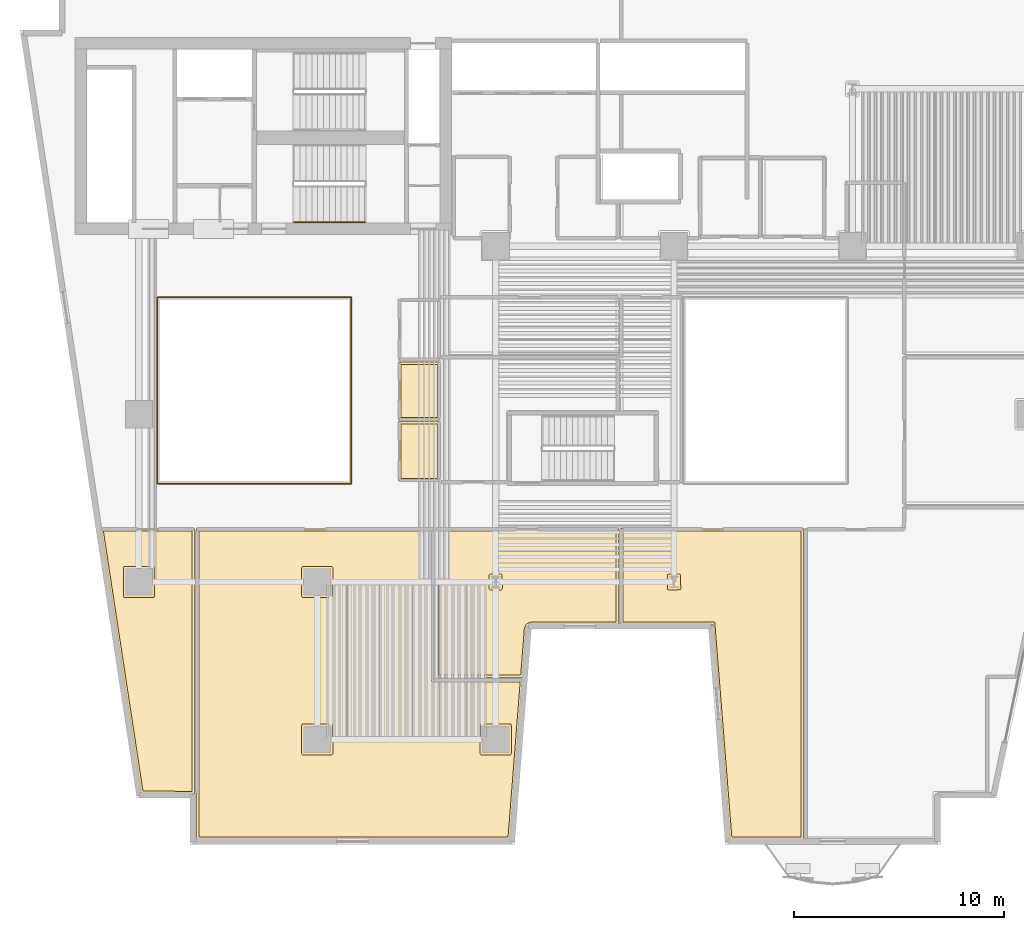
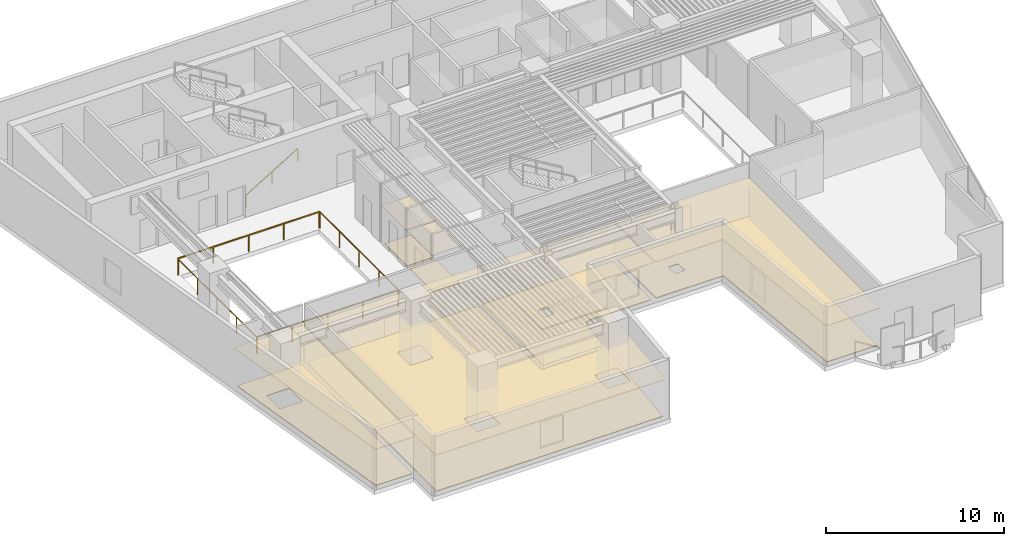
# One storey, part 8 of 12: 12 coverings, 5 railings.
"""IFC4 building model written with IfcOpenShell, lengths in metres."""

from ifc_helpers import new_model, si_unit, direction, frame, origin, origin_2d, place, context, subcontext, project, spatial, polyline, rectangle, outline, extrude, material, layer, layer_set, type_object, element, save


model = new_model("IFC4")

# Units and contexts
model_context = context("Model", 3, precision=1e-05, world=origin(), true_north=direction((0.0, 1.0)))
body_context = subcontext(model_context, "Body", "Model", "MODEL_VIEW")
ifc_project = project(units=[si_unit("LENGTHUNIT", "METRE"), si_unit("AREAUNIT", "SQUARE_METRE"), si_unit("VOLUMEUNIT", "CUBIC_METRE"), si_unit("PLANEANGLEUNIT", "RADIAN"), si_unit("MASSUNIT", "GRAM", prefix="KILO")], contexts=[model_context])

# Site, building, storey
site_placement = place(None, origin())
site = spatial("IfcSite", under=ifc_project, at=site_placement, CompositionType="ELEMENT")
building_placement = place(site_placement, origin())
building = spatial("IfcBuilding", under=site, at=building_placement, Name="Caeloran Harvest Quay", CompositionType="ELEMENT")
storey_placement = place(building_placement, frame((0.0, 0.0, 57.800048828125)))
storey = spatial("IfcBuildingStorey", under=building, at=storey_placement, Name="L13", CompositionType="ELEMENT", Elevation=57.800048828125)

# Coverings
ifc_material_1 = material(Name="Perforated Mineral-Fibre Acoustic Ceiling Tile", Category="ceiling")
ifc_layer_1 = layer(ifc_material_1, 0.0400390625, Name="Perforated Mineral-Fibre Acoustic Ceiling Tile")
ifc_layer_set_1 = layer_set([ifc_layer_1], Name="Perforated Mineral-Fibre Acoustic Ceiling Tile")
covering_type_1 = type_object("IfcCoveringType", Name="COV-CEILING-ACOUSTIC", PredefinedType="CEILING", material=ifc_layer_set_1)
covering_1_placement = place(storey_placement, frame((0.0, 0.0, 2.599853515625)))
element("IfcCovering", 1, at=covering_1_placement, inside=storey, type_object=covering_type_1, Name="L13 Female Washroom WC Acoustic Ceiling", PredefinedType="CEILING", context=body_context, shape_type="SweptSolid", body=[
    extrude(outline(polyline([(22.840087890625, 22.7099609375), (20.8701171875, 22.7099609375), (20.8701171875, 25.489990234375), (22.840087890625, 25.489990234375), (22.840087890625, 22.7099609375)])), origin(), (0.0, 0.0, 1.0), 0.0400390625),
])
covering_2_placement = place(storey_placement, frame((0.0, 0.0, 2.599853515625)))
element("IfcCovering", 2, at=covering_2_placement, inside=storey, type_object=covering_type_1, Name="L13 Accessible Unisex Washroom WC Acoustic Ceiling", PredefinedType="CEILING", context=body_context, shape_type="SweptSolid", body=[
    extrude(outline(polyline([(22.840087890625, 19.81005859375), (20.8701171875, 19.81005859375), (20.8701171875, 22.639892578125), (22.840087890625, 22.639892578125), (22.840087890625, 19.81005859375)])), origin(), (0.0, 0.0, 1.0), 0.0400390625),
])
covering_3_placement = place(storey_placement, frame((0.0, 0.0, 2.599853515625)))
element("IfcCovering", 3, at=covering_3_placement, inside=storey, type_object=covering_type_1, Name="Fermented Botanical Kitchen Acoustic Ceiling", PredefinedType="CEILING", context=body_context, shape_type="SweptSolid", body=[
    extrude(outline(polyline([(22.56005859375, 10.360107421875), (26.7958984375, 10.360107421875), (26.199462890625, 2.719970703125), (11.239990234375, 2.719970703125), (11.239990234375, 17.56005859375), (22.56005859375, 17.56005859375), (22.56005859375, 10.360107421875)])), origin(), (0.0, 0.0, 1.0), 0.0400390625),
])
covering_4_placement = place(storey_placement, frame((0.0, 0.0, 2.599853515625)))
element("IfcCovering", 4, at=covering_4_placement, inside=storey, type_object=covering_type_1, Name="Seedling Sensory Salon Lounge Acoustic Ceiling", PredefinedType="CEILING", context=body_context, shape_type="SweptSolid", body=[
    extrude(outline(polyline([(31.43994140625, 17.56005859375), (40.159912109375, 17.56005859375), (40.159912109375, 2.719970703125), (36.64404296875, 2.719970703125), (35.843994140625, 12.969970703125), (31.43994140625, 12.969970703125), (31.43994140625, 17.56005859375)])), origin(), (0.0, 0.0, 1.0), 0.0400390625),
])
covering_5_placement = place(storey_placement, frame((0.0, 0.0, 2.599853515625)))
element("IfcCovering", 5, at=covering_5_placement, inside=storey, type_object=covering_type_1, Name="Pollination Dining Lounge Acoustic Ceiling", PredefinedType="CEILING", context=body_context, shape_type="SweptSolid", body=[
    extrude(outline(polyline([(11.159912109375, 4.899658203125), (8.59130859375, 4.919921875), (6.668701171875, 17.56005859375), (11.159912109375, 17.56005859375), (11.159912109375, 4.899658203125)])), origin(), (0.0, 0.0, 1.0), 0.0400390625),
])
covering_6_placement = place(storey_placement, frame((0.0, 0.0, 2.599853515625)))
element("IfcCovering", 6, at=covering_6_placement, inside=storey, type_object=covering_type_1, Name="Harvest Seminar Room Acoustic Ceiling", PredefinedType="CEILING", context=body_context, shape_type="SweptSolid", body=[
    extrude(outline(polyline([(27.159423828125, 12.965576171875), (27.0458984375, 12.90380859375), (26.986572265625, 12.788818359375), (26.802001953125, 10.43994140625), (22.639892578125, 10.43994140625), (22.639892578125, 17.56005859375), (31.360107421875, 17.56005859375), (31.360107421875, 12.969970703125), (27.159423828125, 12.965576171875)])), origin(), (0.0, 0.0, 1.0), 0.0400390625),
])
ifc_material_2 = material(Name="Calcium-Sulphate Raised Access Floor and Terrazzo Finish", Category="flooring")
ifc_layer_2 = layer(ifc_material_2, 0.050048828125, Name="Calcium-Sulphate Raised Access Floor and Terrazzo Finish")
ifc_layer_set_2 = layer_set([ifc_layer_2], Name="Calcium-Sulphate Raised Access Floor and Terrazzo Finish")
covering_type_2 = type_object("IfcCoveringType", Name="COV-FLOOR-RAISED", PredefinedType="FLOORING", material=ifc_layer_set_2)
covering_7_placement = place(storey_placement, origin())
element("IfcCovering", 7, at=covering_7_placement, inside=storey, type_object=covering_type_2, Name="L13 Female Washroom WC Raised Finish Flooring", PredefinedType="FLOORING", context=body_context, shape_type="SweptSolid", body=[
    extrude(outline(polyline([(22.719970703125, 22.830078125), (20.989990234375, 22.830078125), (20.989990234375, 25.3701171875), (22.719970703125, 25.3701171875), (22.719970703125, 22.830078125)])), origin(), (0.0, 0.0, 1.0), 0.050048828125),
])
covering_8_placement = place(storey_placement, origin())
element("IfcCovering", 8, at=covering_8_placement, inside=storey, type_object=covering_type_2, Name="L13 Accessible Unisex Washroom WC Raised Finish Flooring", PredefinedType="FLOORING", context=body_context, shape_type="SweptSolid", body=[
    extrude(outline(polyline([(22.719970703125, 19.929931640625), (20.989990234375, 19.929931640625), (20.989990234375, 22.52001953125), (22.719970703125, 22.52001953125), (22.719970703125, 19.929931640625)])), origin(), (0.0, 0.0, 1.0), 0.050048828125),
])
covering_9_placement = place(storey_placement, origin())
element("IfcCovering", 9, at=covering_9_placement, inside=storey, type_object=covering_type_2, Name="Fermented Botanical Kitchen Raised Finish Flooring", PredefinedType="FLOORING", context=body_context, shape_type="SweptSolid", body=[
    extrude(outline(polyline([(11.360107421875, 17.43994140625), (22.43994140625, 17.43994140625), (22.449462890625, 10.2822265625), (22.52001953125, 10.239990234375), (26.666015625, 10.239990234375), (26.08837890625, 2.840087890625), (11.360107421875, 2.840087890625), (11.360107421875, 17.43994140625)]), holes=[polyline([(26.2451171875, 8.1650390625), (26.2216796875, 8.2216796875), (26.1650390625, 8.2451171875), (24.8349609375, 8.2451171875), (24.7783203125, 8.2216796875), (24.7548828125, 8.1650390625), (24.7548828125, 6.8349609375), (24.7783203125, 6.7783203125), (24.8349609375, 6.7548828125), (26.1650390625, 6.7548828125), (26.2216796875, 6.7783203125), (26.2451171875, 6.8349609375), (26.2451171875, 8.1650390625)]), polyline([(16.3349609375, 8.2451171875), (16.2783203125, 8.2216796875), (16.2548828125, 8.1650390625), (16.2548828125, 6.8349609375), (16.2783203125, 6.7783203125), (16.3349609375, 6.7548828125), (17.6650390625, 6.7548828125), (17.7216796875, 6.7783203125), (17.7451171875, 6.8349609375), (17.7451171875, 8.1650390625), (17.7216796875, 8.2216796875), (17.6650390625, 8.2451171875), (16.3349609375, 8.2451171875)]), polyline([(17.7451171875, 15.6650390625), (17.7216796875, 15.7216796875), (17.6650390625, 15.7451171875), (16.3349609375, 15.7451171875), (16.2783203125, 15.7216796875), (16.2548828125, 15.6650390625), (16.2548828125, 14.3349609375), (16.2783203125, 14.2783203125), (16.3349609375, 14.2548828125), (17.6650390625, 14.2548828125), (17.7216796875, 14.2783203125), (17.7451171875, 14.3349609375), (17.7451171875, 15.6650390625)])]), origin(), (0.0, 0.0, 1.0), 0.050048828125),
])
covering_10_placement = place(storey_placement, origin())
element("IfcCovering", 10, at=covering_10_placement, inside=storey, type_object=covering_type_2, Name="Seedling Sensory Salon Lounge Raised Finish Flooring", PredefinedType="FLOORING", context=body_context, shape_type="SweptSolid", body=[
    extrude(outline(polyline([(31.56005859375, 13.090087890625), (31.56005859375, 17.43994140625), (40.0400390625, 17.43994140625), (40.0400390625, 2.840087890625), (36.7548828125, 2.840087890625), (35.943603515625, 13.06005859375), (35.881103515625, 13.090087890625), (31.56005859375, 13.090087890625)]), holes=[polyline([(33.758056640625, 15.37939453125), (33.701416015625, 15.356201171875), (33.678466796875, 15.307373046875), (33.69140625, 14.656005859375), (33.758056640625, 14.62060546875), (34.286376953125, 14.634033203125), (34.322021484375, 14.700439453125), (34.30859375, 15.343994140625), (34.249755859375, 15.379150390625), (33.758056640625, 15.37939453125)])]), origin(), (0.0, 0.0, 1.0), 0.050048828125),
])
covering_11_placement = place(storey_placement, origin())
element("IfcCovering", 11, at=covering_11_placement, inside=storey, type_object=covering_type_2, Name="Pollination Dining Lounge Raised Finish Flooring", PredefinedType="FLOORING", context=body_context, shape_type="SweptSolid", body=[
    extrude(outline(polyline([(11.0400390625, 5.02392578125), (8.694580078125, 5.0400390625), (6.80810546875, 17.43994140625), (11.0400390625, 17.43994140625), (11.0400390625, 5.02392578125)]), holes=[polyline([(9.2451171875, 15.6650390625), (9.2216796875, 15.7216796875), (9.1650390625, 15.7451171875), (7.8349609375, 15.7451171875), (7.7783203125, 15.7216796875), (7.7548828125, 15.6650390625), (7.7548828125, 14.3349609375), (7.7783203125, 14.2783203125), (7.8349609375, 14.2548828125), (9.1650390625, 14.2548828125), (9.2216796875, 14.2783203125), (9.2451171875, 14.3349609375), (9.2451171875, 15.6650390625)])]), origin(), (0.0, 0.0, 1.0), 0.050048828125),
])
covering_12_placement = place(storey_placement, origin())
element("IfcCovering", 12, at=covering_12_placement, inside=storey, type_object=covering_type_2, Name="Harvest Seminar Room Raised Finish Flooring", PredefinedType="FLOORING", context=body_context, shape_type="SweptSolid", body=[
    extrude(outline(polyline([(27.173095703125, 13.088623046875), (26.981689453125, 13.008056640625), (26.869140625, 12.81396484375), (26.69091796875, 10.56005859375), (22.760009765625, 10.56005859375), (22.760009765625, 17.43994140625), (31.239990234375, 17.43994140625), (31.239990234375, 13.090087890625), (27.173095703125, 13.088623046875)]), holes=[polyline([(25.822021484375, 14.700439453125), (25.8037109375, 15.350341796875), (25.749755859375, 15.379150390625), (25.258056640625, 15.37939453125), (25.201416015625, 15.356201171875), (25.177978515625, 15.299560546875), (25.177978515625, 14.700439453125), (25.201416015625, 14.643798828125), (25.258056640625, 14.62060546875), (25.741943359375, 14.62060546875), (25.798583984375, 14.643798828125), (25.822021484375, 14.700439453125)])]), origin(), (0.0, 0.0, 1.0), 0.050048828125),
])

# Railings
ifc_material_3 = material(Name="Powder-Coated Steel Post and Laminated Glass Guardrail", Category="steel")
ifc_layer_3 = layer(ifc_material_3, 0.06005859375, Name="Powder-Coated Steel Post and Laminated Glass Guardrail")
ifc_layer_set_3 = layer_set([ifc_layer_3], Name="Powder-Coated Steel Post and Laminated Glass Guardrail")
railing_type_1 = type_object("IfcRailingType", Name="GUARD-ATRIUM-1150", PredefinedType="GUARDRAIL", material=ifc_layer_set_3)
railing_1_placement = place(storey_placement, frame((9.412109375, 19.679931640625, 0.0)))
element("IfcRailing", 13, at=railing_1_placement, inside=storey, type_object=railing_type_1, Name="L13 Skylit Atrium Void Perimeter Guardrail Seg 1", PredefinedType="GUARDRAIL", context=body_context, shape_type="SweptSolid", body=[
    extrude(rectangle(XDim=0.048095703125, YDim=0.048095703125, at=origin_2d()), frame((0.0, 0.0, 1.1259765625), z_axis=(1.0, 0.0, 0.0), x_axis=(0.0, 1.0, 0.0)), (0.0, 0.0, 1.0), 9.17578125),
    extrude(rectangle(XDim=0.0419921875, YDim=0.0419921875, at=origin_2d()), origin(), (0.0, 0.0, 1.0), 1.101806640625),
    extrude(rectangle(XDim=0.0419921875, YDim=0.0419921875, at=origin_2d()), frame((2.2939453125, 0.0, 0.0)), (0.0, 0.0, 1.0), 1.101806640625),
    extrude(rectangle(XDim=0.0419921875, YDim=0.0419921875, at=origin_2d()), frame((4.587890625, 0.0, 0.0)), (0.0, 0.0, 1.0), 1.101806640625),
    extrude(rectangle(XDim=0.0419921875, YDim=0.0419921875, at=origin_2d()), frame((6.8818359375, 0.0, 0.0)), (0.0, 0.0, 1.0), 1.101806640625),
    extrude(rectangle(XDim=0.0419921875, YDim=0.0419921875, at=origin_2d()), frame((9.17578125, 0.0, 0.0)), (0.0, 0.0, 1.0), 1.101806640625),
])
railing_2_placement = place(storey_placement, frame((18.6201171875, 19.7119140625, 0.0)))
element("IfcRailing", 14, at=railing_2_placement, inside=storey, type_object=railing_type_1, Name="L13 Skylit Atrium Void Perimeter Guardrail Seg 2", PredefinedType="GUARDRAIL", context=body_context, shape_type="SweptSolid", body=[
    extrude(rectangle(XDim=0.048095703125, YDim=0.048095703125, at=origin_2d()), frame((0.0, 0.0, 1.1259765625), z_axis=(0.0, 1.0, 0.0), x_axis=(-1.0, 0.0, 0.0)), (0.0, 0.0, 1.0), 8.826171875),
    extrude(rectangle(XDim=0.0419921875, YDim=0.0419921875, at=origin_2d()), origin(), (0.0, 0.0, 1.0), 1.101806640625),
    extrude(rectangle(XDim=0.0419921875, YDim=0.0419921875, at=origin_2d()), frame((0.0, 2.20654296875, 0.0)), (0.0, 0.0, 1.0), 1.101806640625),
    extrude(rectangle(XDim=0.0419921875, YDim=0.0419921875, at=origin_2d()), frame((0.0, 4.4130859375, 0.0)), (0.0, 0.0, 1.0), 1.101806640625),
    extrude(rectangle(XDim=0.0419921875, YDim=0.0419921875, at=origin_2d()), frame((0.0, 6.61962890625, 0.0)), (0.0, 0.0, 1.0), 1.101806640625),
    extrude(rectangle(XDim=0.0419921875, YDim=0.0419921875, at=origin_2d()), frame((0.0, 8.826171875, 0.0)), (0.0, 0.0, 1.0), 1.101806640625),
])
railing_3_placement = place(storey_placement, frame((18.587890625, 28.570068359375, 0.0)))
element("IfcRailing", 15, at=railing_3_placement, inside=storey, type_object=railing_type_1, Name="L13 Skylit Atrium Void Perimeter Guardrail Seg 3", PredefinedType="GUARDRAIL", context=body_context, shape_type="SweptSolid", body=[
    extrude(rectangle(XDim=0.048095703125, YDim=0.048095703125, at=origin_2d()), frame((0.0, 0.0, 1.1259765625), z_axis=(-1.0, 0.0, 0.0), x_axis=(0.0, -1.0, 0.0)), (0.0, 0.0, 1.0), 9.17578125),
    extrude(rectangle(XDim=0.0419921875, YDim=0.0419921875, at=origin_2d()), origin(), (0.0, 0.0, 1.0), 1.101806640625),
    extrude(rectangle(XDim=0.0419921875, YDim=0.0419921875, at=origin_2d()), frame((-2.2939453125, 0.0, 0.0)), (0.0, 0.0, 1.0), 1.101806640625),
    extrude(rectangle(XDim=0.0419921875, YDim=0.0419921875, at=origin_2d()), frame((-4.587890625, 0.0, 0.0)), (0.0, 0.0, 1.0), 1.101806640625),
    extrude(rectangle(XDim=0.0419921875, YDim=0.0419921875, at=origin_2d()), frame((-6.8818359375, 0.0, 0.0)), (0.0, 0.0, 1.0), 1.101806640625),
    extrude(rectangle(XDim=0.0419921875, YDim=0.0419921875, at=origin_2d()), frame((-9.17578125, 0.0, 0.0)), (0.0, 0.0, 1.0), 1.101806640625),
])
railing_4_placement = place(storey_placement, frame((9.3798828125, 28.5380859375, 0.0)))
element("IfcRailing", 16, at=railing_4_placement, inside=storey, type_object=railing_type_1, Name="L13 Skylit Atrium Void Perimeter Guardrail Seg 4", PredefinedType="GUARDRAIL", context=body_context, shape_type="SweptSolid", body=[
    extrude(rectangle(XDim=0.048095703125, YDim=0.048095703125, at=origin_2d()), frame((0.0, 0.0, 1.1259765625), z_axis=(0.0, -1.0, 0.0), x_axis=(1.0, 0.0, 0.0)), (0.0, 0.0, 1.0), 8.826171875),
    extrude(rectangle(XDim=0.0419921875, YDim=0.0419921875, at=origin_2d()), origin(), (0.0, 0.0, 1.0), 1.101806640625),
    extrude(rectangle(XDim=0.0419921875, YDim=0.0419921875, at=origin_2d()), frame((0.0, -2.20654296875, 0.0)), (0.0, 0.0, 1.0), 1.101806640625),
    extrude(rectangle(XDim=0.0419921875, YDim=0.0419921875, at=origin_2d()), frame((0.0, -4.4130859375, 0.0)), (0.0, 0.0, 1.0), 1.101806640625),
    extrude(rectangle(XDim=0.0419921875, YDim=0.0419921875, at=origin_2d()), frame((0.0, -6.61962890625, 0.0)), (0.0, 0.0, 1.0), 1.101806640625),
    extrude(rectangle(XDim=0.0419921875, YDim=0.0419921875, at=origin_2d()), frame((0.0, -8.826171875, 0.0)), (0.0, 0.0, 1.0), 1.101806640625),
])
ifc_material_4 = material(Name="Brushed Stainless Steel Grade 304", Category="steel")
ifc_layer_4 = layer(ifc_material_4, 0.050048828125, Name="Brushed Stainless Steel Grade 304")
ifc_layer_set_4 = layer_set([ifc_layer_4], Name="Brushed Stainless Steel Grade 304")
railing_type_2 = type_object("IfcRailingType", Name="STAIR-HANDRAIL-900", PredefinedType="HANDRAIL", material=ifc_layer_set_4)
railing_5_placement = place(storey_placement, frame((15.89990234375, 32.14990234375, 0.169189453125)))
element("IfcRailing", 17, at=railing_5_placement, inside=storey, type_object=railing_type_2, Name="L13 ST-C2 stair handrail 1", PredefinedType="HANDRAIL", context=body_context, shape_type="SweptSolid", body=[
    extrude(rectangle(XDim=0.048095703125, YDim=0.048095703125, at=origin_2d()), frame((0.0, 0.0, 0.8759765625), z_axis=(0.855836976705, 0.0, 0.517245656632), x_axis=(0.0, 1.0, 0.0)), (0.0, 0.0, 1.0), 3.926025390625),
    extrude(rectangle(XDim=0.0419921875, YDim=0.0419921875, at=origin_2d()), origin(), (0.0, 0.0, 1.0), 0.851806640625),
    extrude(rectangle(XDim=0.0419921875, YDim=0.0419921875, at=origin_2d()), frame((1.68017578125, 0.0, 1.015380859375)), (0.0, 0.0, 1.0), 0.851806640625),
    extrude(rectangle(XDim=0.0419921875, YDim=0.0419921875, at=origin_2d()), frame((3.360107421875, 0.0, 2.03076171875)), (0.0, 0.0, 1.0), 0.851806640625),
])

save(model, "model.ifc")
